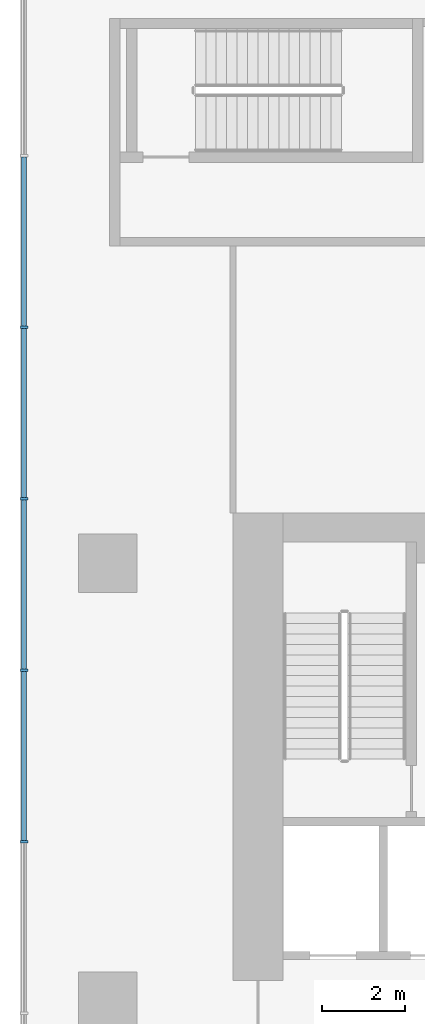
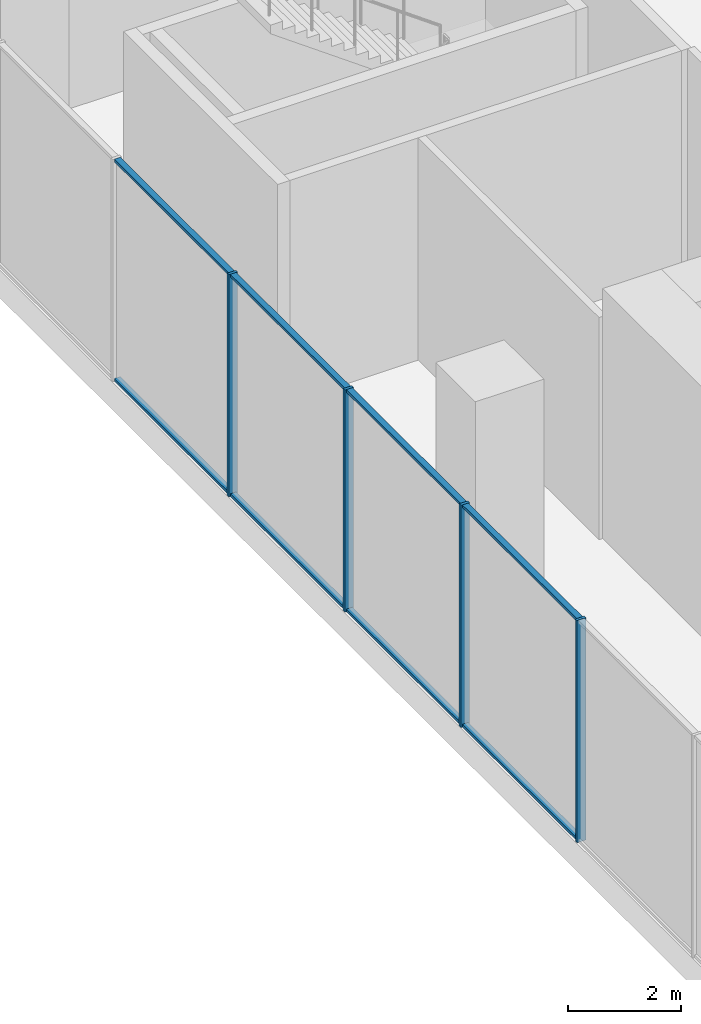
# One storey, part 4 of 23: 12 members, 1 element without a shape of its own.
"""IFC4 building model written with IfcOpenShell, lengths in metres."""

from ifc_helpers import new_model, si_unit, direction, frame, origin, origin_2d, place, context, subcontext, project, spatial, rectangle, extrude, source, transform, mapped, material, layer, layer_set, material_profile, profile_set, type_object, element, aggregate, save


model = new_model("IFC4")

# Units and contexts
model_context = context("Model", 3, precision=1e-05, world=origin(), true_north=direction((0.0, 1.0)))
body_context = subcontext(model_context, "Body", "Model", "MODEL_VIEW")
ifc_project = project(units=[si_unit("LENGTHUNIT", "METRE"), si_unit("AREAUNIT", "SQUARE_METRE"), si_unit("VOLUMEUNIT", "CUBIC_METRE"), si_unit("PLANEANGLEUNIT", "RADIAN"), si_unit("MASSUNIT", "GRAM", prefix="KILO")], contexts=[model_context])

# Site, building, storey
site_placement = place(None, origin())
site = spatial("IfcSite", under=ifc_project, at=site_placement, CompositionType="ELEMENT")
building_placement = place(site_placement, origin())
building = spatial("IfcBuilding", under=site, at=building_placement, Name="Aurelian Terraces", CompositionType="ELEMENT")
storey_placement = place(building_placement, frame((0.0, 0.0, 23.7)))
storey = spatial("IfcBuildingStorey", under=building, at=storey_placement, Name="L04", CompositionType="ELEMENT", Elevation=23.7)

# Curtain wall, members
ifc_material_1 = material(Name="Anodised aluminium and clear glazing", Category="aluminium")
ifc_layer = layer(ifc_material_1, 0.2)
ifc_layer_set = layer_set([ifc_layer], Name="Winter garden glazing curtain wall")
curtain_wall_type = type_object("IfcCurtainWallType", Name="Winter garden glazing curtain wall", PredefinedType="NOTDEFINED", material=ifc_layer_set)
curtain_wall_placement = place(storey_placement, origin())
curtain_wall = element("IfcCurtainWall", 1, at=curtain_wall_placement, inside=storey, type_object=curtain_wall_type, Name="Winter garden glazing L04 F06.1", PredefinedType="NOTDEFINED")
ifc_material_2 = material(Name="Anodised aluminium", Category="aluminium")
ifc_material_profile_1 = material_profile(ifc_material_2, rectangle(XDim=0.18, YDim=0.06, at=origin_2d()))
ifc_profile_set_1 = profile_set([ifc_material_profile_1], Name="Anodised aluminium")
member_type_1 = type_object("IfcMemberType", Name="Winter garden glazing mullion", PredefinedType="MULLION", material=ifc_profile_set_1)
shared_shape_1 = source(origin(), body_context, "Body", "SweptSolid", [
    extrude(rectangle(XDim=0.18, YDim=0.06, at=origin_2d()), origin(), (0.0, 0.0, 1.0), 4.8),
])
member_1_placement = place(storey_placement, frame((-2.0, 26.6467, 0.0), z_axis=(0.0, 0.0, 1.0), x_axis=(1.0, 0.0, 0.0)))
member_1 = element("IfcMember", 2, at=member_1_placement, type_object=member_type_1, Name="CW6 mullion 12", PredefinedType="MULLION", context=body_context, shape_type="MappedRepresentation", body=[
    mapped(shared_shape_1, transform((0.0, 0.0, 0.0), scale=1.0)),
])
member_2_placement = place(storey_placement, frame((-2.0, 22.54, 0.0), z_axis=(0.0, 0.0, 1.0), x_axis=(1.0, 0.0, 0.0)))
member_2 = element("IfcMember", 3, at=member_2_placement, type_object=member_type_1, Name="CW6 mullion 13", PredefinedType="MULLION", context=body_context, shape_type="MappedRepresentation", body=[
    mapped(shared_shape_1, transform((0.0, 0.0, 0.0), scale=1.0)),
])
member_3_placement = place(storey_placement, frame((-2.0, 18.4333, 0.0), z_axis=(0.0, 0.0, 1.0), x_axis=(1.0, 0.0, 0.0)))
member_3 = element("IfcMember", 4, at=member_3_placement, type_object=member_type_1, Name="CW6 mullion 14", PredefinedType="MULLION", context=body_context, shape_type="MappedRepresentation", body=[
    mapped(shared_shape_1, transform((0.0, 0.0, 0.0), scale=1.0)),
])
member_4_placement = place(storey_placement, frame((-2.0, 14.3267, 0.0), z_axis=(0.0, 0.0, 1.0), x_axis=(1.0, 0.0, 0.0)))
member_4 = element("IfcMember", 5, at=member_4_placement, type_object=member_type_1, Name="CW6 mullion 15", PredefinedType="MULLION", context=body_context, shape_type="MappedRepresentation", body=[
    mapped(shared_shape_1, transform((0.0, 0.0, 0.0), scale=1.0)),
])
ifc_material_profile_2 = material_profile(ifc_material_2, rectangle(XDim=0.12, YDim=0.06, at=origin_2d()))
ifc_profile_set_2 = profile_set([ifc_material_profile_2], Name="Anodised aluminium")
member_type_2 = type_object("IfcMemberType", Name="Winter garden glazing transom", PredefinedType="USERDEFINED", material=ifc_profile_set_2)
shared_shape_2 = source(origin(), body_context, "Body", "SweptSolid", [
    extrude(rectangle(XDim=0.12, YDim=0.06, at=origin_2d()), origin(), (0.0, 0.0, 1.0), 4.0466),
])
member_5_placement = place(storey_placement, frame((-2.0, 30.7233, 0.03), z_axis=(0.0, -1.0, 0.0), x_axis=(1.0, 0.0, 0.0)))
member_5 = element("IfcMember", 6, at=member_5_placement, type_object=member_type_2, Name="CW6 transom 11.1", ObjectType="TRANSOM", PredefinedType="USERDEFINED", context=body_context, shape_type="MappedRepresentation", body=[
    mapped(shared_shape_2, transform((0.0, 0.0, 0.0), scale=1.0)),
])
member_6_placement = place(storey_placement, frame((-2.0, 30.7233, 4.77), z_axis=(0.0, -1.0, 0.0), x_axis=(1.0, 0.0, 0.0)))
member_6 = element("IfcMember", 7, at=member_6_placement, type_object=member_type_2, Name="CW6 transom 11.2", ObjectType="TRANSOM", PredefinedType="USERDEFINED", context=body_context, shape_type="MappedRepresentation", body=[
    mapped(shared_shape_2, transform((0.0, 0.0, 0.0), scale=1.0)),
])
member_7_placement = place(storey_placement, frame((-2.0, 18.4033, 0.03), z_axis=(0.0, -1.0, 0.0), x_axis=(1.0, 0.0, 0.0)))
member_7 = element("IfcMember", 8, at=member_7_placement, type_object=member_type_2, Name="CW6 transom 14.1", ObjectType="TRANSOM", PredefinedType="USERDEFINED", context=body_context, shape_type="MappedRepresentation", body=[
    mapped(shared_shape_2, transform((0.0, 0.0, 0.0), scale=1.0)),
])
member_8_placement = place(storey_placement, frame((-2.0, 18.4033, 4.77), z_axis=(0.0, -1.0, 0.0), x_axis=(1.0, 0.0, 0.0)))
member_8 = element("IfcMember", 9, at=member_8_placement, type_object=member_type_2, Name="CW6 transom 14.2", ObjectType="TRANSOM", PredefinedType="USERDEFINED", context=body_context, shape_type="MappedRepresentation", body=[
    mapped(shared_shape_2, transform((0.0, 0.0, 0.0), scale=1.0)),
])
shared_shape_3 = source(origin(), body_context, "Body", "SweptSolid", [
    extrude(rectangle(XDim=0.12, YDim=0.06, at=origin_2d()), origin(), (0.0, 0.0, 1.0), 4.0467),
])
member_9_placement = place(storey_placement, frame((-2.0, 26.6167, 0.03), z_axis=(0.0, -1.0, 0.0), x_axis=(1.0, 0.0, 0.0)))
member_9 = element("IfcMember", 10, at=member_9_placement, type_object=member_type_2, Name="CW6 transom 12.1", ObjectType="TRANSOM", PredefinedType="USERDEFINED", context=body_context, shape_type="MappedRepresentation", body=[
    mapped(shared_shape_3, transform((0.0, 0.0, 0.0), scale=1.0)),
])
member_10_placement = place(storey_placement, frame((-2.0, 26.6167, 4.77), z_axis=(0.0, -1.0, 0.0), x_axis=(1.0, 0.0, 0.0)))
member_10 = element("IfcMember", 11, at=member_10_placement, type_object=member_type_2, Name="CW6 transom 12.2", ObjectType="TRANSOM", PredefinedType="USERDEFINED", context=body_context, shape_type="MappedRepresentation", body=[
    mapped(shared_shape_3, transform((0.0, 0.0, 0.0), scale=1.0)),
])
member_11_placement = place(storey_placement, frame((-2.0, 22.51, 0.03), z_axis=(0.0, -1.0, 0.0), x_axis=(1.0, 0.0, 0.0)))
member_11 = element("IfcMember", 12, at=member_11_placement, type_object=member_type_2, Name="CW6 transom 13.1", ObjectType="TRANSOM", PredefinedType="USERDEFINED", context=body_context, shape_type="MappedRepresentation", body=[
    mapped(shared_shape_3, transform((0.0, 0.0, 0.0), scale=1.0)),
])
member_12_placement = place(storey_placement, frame((-2.0, 22.51, 4.77), z_axis=(0.0, -1.0, 0.0), x_axis=(1.0, 0.0, 0.0)))
member_12 = element("IfcMember", 13, at=member_12_placement, type_object=member_type_2, Name="CW6 transom 13.2", ObjectType="TRANSOM", PredefinedType="USERDEFINED", context=body_context, shape_type="MappedRepresentation", body=[
    mapped(shared_shape_3, transform((0.0, 0.0, 0.0), scale=1.0)),
])
aggregate(curtain_wall, [member_1, member_2, member_3, member_4, member_5, member_6, member_9, member_10, member_11, member_12, member_7, member_8])

save(model, "model.ifc")
